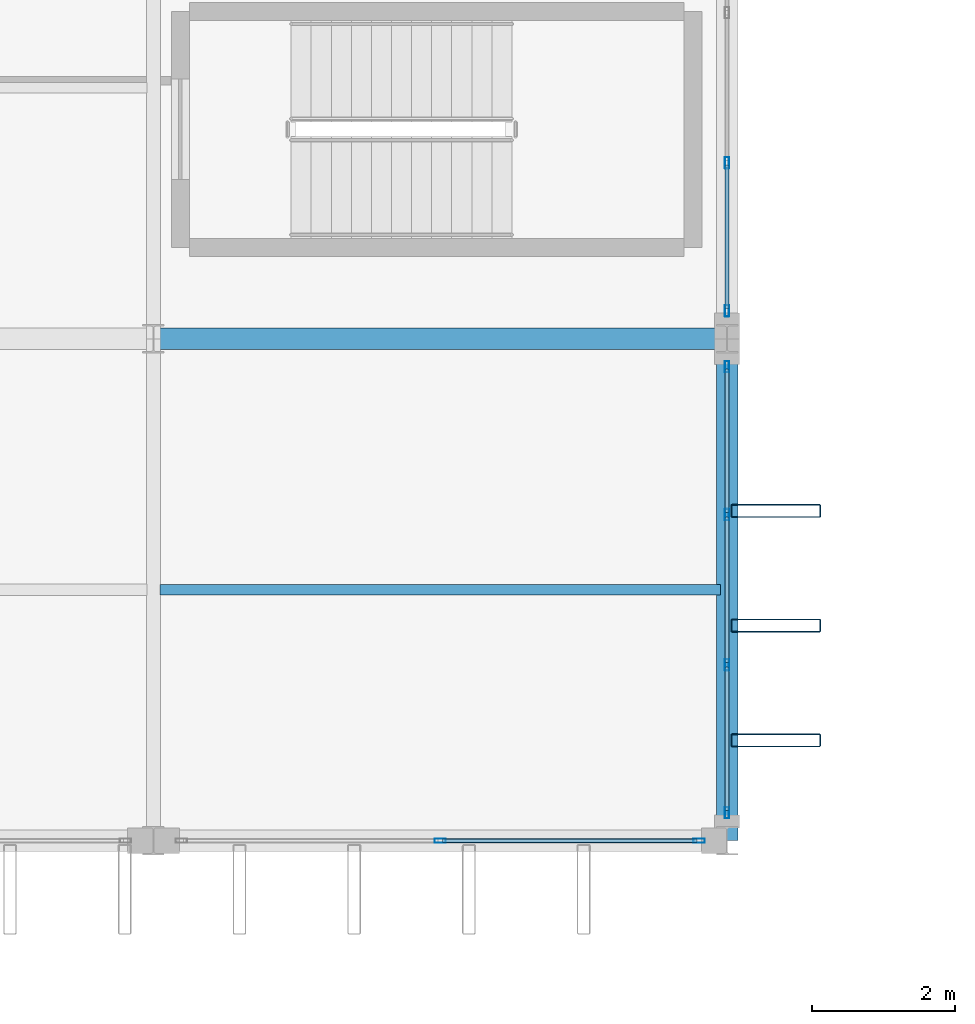
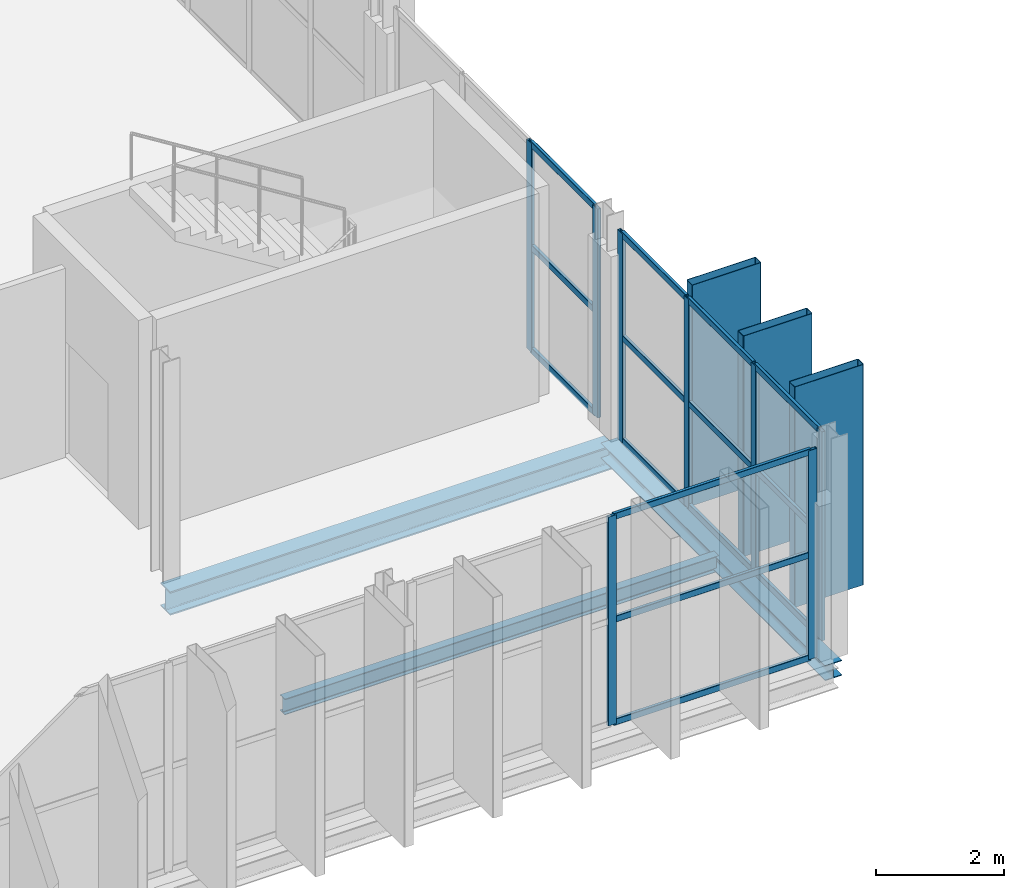
# One storey, part 34 of 101: 26 members, 3 beams, 3 elements without a shape of their own.
"""IFC4 building model written with IfcOpenShell, lengths in metres."""

from ifc_helpers import new_model, si_unit, direction, frame, origin, origin_2d, place, context, subcontext, project, spatial, hollow_rectangle, i_section, extrude, material, layer, layer_set, material_profile, profile_set, type_object, element, aggregate, save


model = new_model("IFC4")

# Units and contexts
model_context = context("Model", 3, precision=1e-05, world=origin(), true_north=direction((0.0, 1.0)))
body_context = subcontext(model_context, "Body", "Model", "MODEL_VIEW")
ifc_project = project(units=[si_unit("LENGTHUNIT", "METRE"), si_unit("AREAUNIT", "SQUARE_METRE"), si_unit("VOLUMEUNIT", "CUBIC_METRE"), si_unit("PLANEANGLEUNIT", "RADIAN"), si_unit("MASSUNIT", "GRAM", prefix="KILO")], contexts=[model_context])

# Site, building, storey
site_placement = place(None, origin())
site = spatial("IfcSite", under=ifc_project, at=site_placement, CompositionType="ELEMENT")
building_placement = place(site_placement, origin())
building = spatial("IfcBuilding", under=site, at=building_placement, Name="Vekula Escarpment Museum", CompositionType="ELEMENT")
storey_placement = place(building_placement, frame((0.0, 0.0, 18.0)))
storey = spatial("IfcBuildingStorey", under=building, at=storey_placement, Name="L04", CompositionType="ELEMENT", Elevation=18.0)

# Beams
ifc_material_1 = material(Name="Steel S355", Category="steel")
ifc_material_profile_1 = material_profile(ifc_material_1, i_section(OverallWidth=0.300048828125, OverallDepth=0.449951171875, WebThickness=0.013916015625, FlangeThickness=0.02587890625, FilletRadius=0.027099609375, at=origin_2d()), Name="HEB 450")
ifc_profile_set_1 = profile_set([ifc_material_profile_1], Name="Steel S355")
beam_type_1 = type_object("IfcBeamType", Name="BM-GIRD-HEB450", PredefinedType="BEAM", material=ifc_profile_set_1)
beam_1_placement = place(storey_placement, frame((118.0, 52.60009765625, -0.465087890625), z_axis=(1.0, 0.0, 0.0), x_axis=(0.0, 1.0, 0.0)))
element("IfcBeam", 1, at=beam_1_placement, inside=storey, type_object=beam_type_1, Name="Beam X L04 1701", PredefinedType="BEAM", context=body_context, shape_type="SweptSolid", body=[
    extrude(i_section(OverallWidth=0.300048828125, OverallDepth=0.449951171875, WebThickness=0.013916015625, FlangeThickness=0.02587890625, FilletRadius=0.027099609375, at=origin_2d()), origin(), (0.0, 0.0, 1.0), 8.0),
])
ifc_material_2 = material(Name="Steel S355", Category="steel")
ifc_material_profile_2 = material_profile(ifc_material_2, i_section(OverallWidth=0.14990234375, OverallDepth=0.300048828125, WebThickness=0.007080078125, FlangeThickness=0.0107421875, FilletRadius=0.014892578125, at=origin_2d()), Name="IPE 300")
ifc_profile_set_2 = profile_set([ifc_material_profile_2], Name="Steel S355")
beam_type_2 = type_object("IfcBeamType", Name="BM-JST-IPE300", PredefinedType="JOIST", material=ifc_profile_set_2)
beam_2_placement = place(storey_placement, frame((118.090087890625, 49.10009765625, -0.389892578125), z_axis=(1.0, 0.0, 0.0), x_axis=(0.0, 1.0, 0.0)))
element("IfcBeam", 2, at=beam_2_placement, inside=storey, type_object=beam_type_2, Name="Secondary Joist L04 1231", PredefinedType="JOIST", context=body_context, shape_type="SweptSolid", body=[
    extrude(i_section(OverallWidth=0.14990234375, OverallDepth=0.300048828125, WebThickness=0.007080078125, FlangeThickness=0.0107421875, FilletRadius=0.014892578125, at=origin_2d()), origin(), (0.0, 0.0, 1.0), 7.81982421875),
])
ifc_material_3 = material(Name="Steel S355", Category="steel")
ifc_material_profile_3 = material_profile(ifc_material_3, i_section(OverallWidth=0.300048828125, OverallDepth=0.2900390625, WebThickness=0.008544921875, FlangeThickness=0.013916015625, FilletRadius=0.027099609375, at=origin_2d()), Name="HEA 300")
ifc_profile_set_3 = profile_set([ifc_material_profile_3], Name="Steel S355")
beam_type_3 = type_object("IfcBeamType", Name="BM-SPAN-HEA300", PredefinedType="SPANDREL", material=ifc_profile_set_3)
beam_3_placement = place(storey_placement, frame((126.0, 45.60009765625, -0.385009765625), z_axis=(0.0, 1.0, 0.0), x_axis=(-1.0, 0.0, 0.0)))
element("IfcBeam", 3, at=beam_3_placement, inside=storey, type_object=beam_type_3, Name="Beam Y L04 1911", PredefinedType="SPANDREL", context=body_context, shape_type="SweptSolid", body=[
    extrude(i_section(OverallWidth=0.300048828125, OverallDepth=0.2900390625, WebThickness=0.008544921875, FlangeThickness=0.013916015625, FilletRadius=0.027099609375, at=origin_2d()), origin(), (0.0, 0.0, 1.0), 7.0),
])

# Curtain wall, members
ifc_material_4 = material(Name="Aluminium thermally broken framing", Category="aluminium")
ifc_layer_1 = layer(ifc_material_4, 0.179931640625)
ifc_layer_set_1 = layer_set([ifc_layer_1], Name="Aluminium thermally broken framing")
curtain_wall_type_1 = type_object("IfcCurtainWallType", Name="CW-SYS-08", PredefinedType="NOTDEFINED", material=ifc_layer_set_1)
curtain_wall_1_placement = place(storey_placement, origin())
curtain_wall_1 = element("IfcCurtainWall", 4, at=curtain_wall_1_placement, inside=storey, type_object=curtain_wall_type_1, Name="Curtain Wall CW-L04-138", PredefinedType="NOTDEFINED")
ifc_material_5 = material(Name="Aluminium anodized mullion", Category="aluminium")
ifc_material_profile_4 = material_profile(ifc_material_5, hollow_rectangle(XDim=0.06005859375, YDim=0.159912109375, WallThickness=0.00390625, InnerFilletRadius=0.00390625, OuterFilletRadius=0.008056640625, at=origin_2d()), Name="ALU 160x60x4")
ifc_profile_set_4 = profile_set([ifc_material_profile_4], Name="Aluminium anodized mullion")
member_type_1 = type_object("IfcMemberType", Name="CW-MUL-160", PredefinedType="MULLION", material=ifc_profile_set_4)
member_1_placement = place(storey_placement, frame((122.0, 45.60009765625, 0.0), z_axis=(0.0, 0.0, 1.0), x_axis=(0.0, 1.0, 0.0)))
member_1 = element("IfcMember", 5, at=member_1_placement, type_object=member_type_1, Name="CW-08 mullion 2", PredefinedType="MULLION", context=body_context, shape_type="SweptSolid", body=[
    extrude(hollow_rectangle(XDim=0.06005859375, YDim=0.159912109375, WallThickness=0.00390625, InnerFilletRadius=0.00390625, OuterFilletRadius=0.008056640625, at=origin_2d()), origin(), (0.0, 0.0, 1.0), 3.97998046875),
])
member_2_placement = place(storey_placement, frame((125.610107421875, 45.60009765625, 0.0), z_axis=(0.0, 0.0, 1.0), x_axis=(0.0, 1.0, 0.0)))
member_2 = element("IfcMember", 6, at=member_2_placement, type_object=member_type_1, Name="CW-08 mullion 3", PredefinedType="MULLION", context=body_context, shape_type="SweptSolid", body=[
    extrude(hollow_rectangle(XDim=0.06005859375, YDim=0.159912109375, WallThickness=0.00390625, InnerFilletRadius=0.00390625, OuterFilletRadius=0.008056640625, at=origin_2d()), origin(), (0.0, 0.0, 1.0), 3.97998046875),
])

ifc_material_6 = material(Name="Aluminium thermally broken framing", Category="aluminium")
ifc_layer_2 = layer(ifc_material_6, 0.14990234375)
ifc_layer_set_2 = layer_set([ifc_layer_2], Name="Aluminium thermally broken framing")
curtain_wall_type_2 = type_object("IfcCurtainWallType", Name="CW-SYS-09", PredefinedType="NOTDEFINED", material=ifc_layer_set_2)
curtain_wall_2_placement = place(storey_placement, origin())
curtain_wall_2 = element("IfcCurtainWall", 7, at=curtain_wall_2_placement, inside=storey, type_object=curtain_wall_type_2, Name="Curtain Wall CW-L04-139", PredefinedType="NOTDEFINED")
member_3_placement = place(storey_placement, frame((126.0, 45.989990234375, 0.0), z_axis=(0.0, 0.0, 1.0), x_axis=(-1.0, 0.0, 0.0)))
member_3 = element("IfcMember", 8, at=member_3_placement, type_object=member_type_1, Name="CW-09 mullion 1", PredefinedType="MULLION", context=body_context, shape_type="SweptSolid", body=[
    extrude(hollow_rectangle(XDim=0.06005859375, YDim=0.159912109375, WallThickness=0.00390625, InnerFilletRadius=0.00390625, OuterFilletRadius=0.008056640625, at=origin_2d()), origin(), (0.0, 0.0, 1.0), 3.97998046875),
])
member_4_placement = place(storey_placement, frame((126.0, 48.05322265625, 0.0), z_axis=(0.0, 0.0, 1.0), x_axis=(-1.0, 0.0, 0.0)))
member_4 = element("IfcMember", 9, at=member_4_placement, type_object=member_type_1, Name="CW-09 mullion 2", PredefinedType="MULLION", context=body_context, shape_type="SweptSolid", body=[
    extrude(hollow_rectangle(XDim=0.06005859375, YDim=0.159912109375, WallThickness=0.00390625, InnerFilletRadius=0.00390625, OuterFilletRadius=0.008056640625, at=origin_2d()), origin(), (0.0, 0.0, 1.0), 3.97998046875),
])
member_5_placement = place(storey_placement, frame((126.0, 50.146728515625, 0.0), z_axis=(0.0, 0.0, 1.0), x_axis=(-1.0, 0.0, 0.0)))
member_5 = element("IfcMember", 10, at=member_5_placement, type_object=member_type_1, Name="CW-09 mullion 3", PredefinedType="MULLION", context=body_context, shape_type="SweptSolid", body=[
    extrude(hollow_rectangle(XDim=0.06005859375, YDim=0.159912109375, WallThickness=0.00390625, InnerFilletRadius=0.00390625, OuterFilletRadius=0.008056640625, at=origin_2d()), origin(), (0.0, 0.0, 1.0), 3.97998046875),
])
member_6_placement = place(storey_placement, frame((126.0, 52.2099609375, 0.0), z_axis=(0.0, 0.0, 1.0), x_axis=(-1.0, 0.0, 0.0)))
member_6 = element("IfcMember", 11, at=member_6_placement, type_object=member_type_1, Name="CW-09 mullion 4", PredefinedType="MULLION", context=body_context, shape_type="SweptSolid", body=[
    extrude(hollow_rectangle(XDim=0.06005859375, YDim=0.159912109375, WallThickness=0.00390625, InnerFilletRadius=0.00390625, OuterFilletRadius=0.008056640625, at=origin_2d()), origin(), (0.0, 0.0, 1.0), 3.97998046875),
])

ifc_material_7 = material(Name="Aluminium thermally broken framing", Category="aluminium")
ifc_layer_3 = layer(ifc_material_7, 0.169921875)
ifc_layer_set_3 = layer_set([ifc_layer_3], Name="Aluminium thermally broken framing")
curtain_wall_type_3 = type_object("IfcCurtainWallType", Name="CW-SYS-10", PredefinedType="NOTDEFINED", material=ifc_layer_set_3)
curtain_wall_3_placement = place(storey_placement, origin())
curtain_wall_3 = element("IfcCurtainWall", 12, at=curtain_wall_3_placement, inside=storey, type_object=curtain_wall_type_3, Name="Curtain Wall CW-L04-140", PredefinedType="NOTDEFINED")
member_7_placement = place(storey_placement, frame((126.0, 52.989990234375, 0.0), z_axis=(0.0, 0.0, 1.0), x_axis=(-1.0, 0.0, 0.0)))
member_7 = element("IfcMember", 13, at=member_7_placement, type_object=member_type_1, Name="CW-10 mullion 1", PredefinedType="MULLION", context=body_context, shape_type="SweptSolid", body=[
    extrude(hollow_rectangle(XDim=0.06005859375, YDim=0.159912109375, WallThickness=0.00390625, InnerFilletRadius=0.00390625, OuterFilletRadius=0.008056640625, at=origin_2d()), origin(), (0.0, 0.0, 1.0), 3.97998046875),
])
member_8_placement = place(storey_placement, frame((126.0, 55.05322265625, 0.0), z_axis=(0.0, 0.0, 1.0), x_axis=(-1.0, 0.0, 0.0)))
member_8 = element("IfcMember", 14, at=member_8_placement, type_object=member_type_1, Name="CW-10 mullion 2", PredefinedType="MULLION", context=body_context, shape_type="SweptSolid", body=[
    extrude(hollow_rectangle(XDim=0.06005859375, YDim=0.159912109375, WallThickness=0.00390625, InnerFilletRadius=0.00390625, OuterFilletRadius=0.008056640625, at=origin_2d()), origin(), (0.0, 0.0, 1.0), 3.97998046875),
])

# Member
ifc_material_8 = material(Name="Aluminium anodized transom", Category="aluminium")
ifc_material_profile_5 = material_profile(ifc_material_8, hollow_rectangle(XDim=0.06005859375, YDim=0.1201171875, WallThickness=0.00390625, InnerFilletRadius=0.00390625, OuterFilletRadius=0.008056640625, at=origin_2d()), Name="ALU 120x60x4")
ifc_profile_set_5 = profile_set([ifc_material_profile_5], Name="Aluminium anodized transom")
member_type_2 = type_object("IfcMemberType", Name="CW-TRN-120", PredefinedType="USERDEFINED", material=ifc_profile_set_5)
member_9_placement = place(storey_placement, frame((122.030029296875, 45.60009765625, 0.030029296875), z_axis=(1.0, 0.0, 0.0), x_axis=(0.0, 1.0, 0.0)))
member_9 = element("IfcMember", 15, at=member_9_placement, type_object=member_type_2, Name="CW-08 transom 2.1", ObjectType="TRANSOM", PredefinedType="USERDEFINED", context=body_context, shape_type="SweptSolid", body=[
    extrude(hollow_rectangle(XDim=0.06005859375, YDim=0.1201171875, WallThickness=0.00390625, InnerFilletRadius=0.00390625, OuterFilletRadius=0.008056640625, at=origin_2d()), origin(), (0.0, 0.0, 1.0), 3.550048828125),
])

member_10_placement = place(storey_placement, frame((122.030029296875, 45.60009765625, 1.989990234375), z_axis=(1.0, 0.0, 0.0), x_axis=(0.0, 1.0, 0.0)))
member_10 = element("IfcMember", 16, at=member_10_placement, type_object=member_type_2, Name="CW-08 transom 2.2", ObjectType="TRANSOM", PredefinedType="USERDEFINED", context=body_context, shape_type="SweptSolid", body=[
    extrude(hollow_rectangle(XDim=0.06005859375, YDim=0.1201171875, WallThickness=0.00390625, InnerFilletRadius=0.00390625, OuterFilletRadius=0.008056640625, at=origin_2d()), origin(), (0.0, 0.0, 1.0), 3.550048828125),
])

member_11_placement = place(storey_placement, frame((122.030029296875, 45.60009765625, 3.949951171875), z_axis=(1.0, 0.0, 0.0), x_axis=(0.0, 1.0, 0.0)))
member_11 = element("IfcMember", 17, at=member_11_placement, type_object=member_type_2, Name="CW-08 transom 2.3", ObjectType="TRANSOM", PredefinedType="USERDEFINED", context=body_context, shape_type="SweptSolid", body=[
    extrude(hollow_rectangle(XDim=0.06005859375, YDim=0.1201171875, WallThickness=0.00390625, InnerFilletRadius=0.00390625, OuterFilletRadius=0.008056640625, at=origin_2d()), origin(), (0.0, 0.0, 1.0), 3.550048828125),
])

aggregate(curtain_wall_1, [member_1, member_2, member_9, member_10, member_11])

member_12_placement = place(storey_placement, frame((126.0, 46.02001953125, 0.030029296875), z_axis=(0.0, 1.0, 0.0), x_axis=(-1.0, 0.0, 0.0)))
member_12 = element("IfcMember", 18, at=member_12_placement, type_object=member_type_2, Name="CW-09 transom 1.1", ObjectType="TRANSOM", PredefinedType="USERDEFINED", context=body_context, shape_type="SweptSolid", body=[
    extrude(hollow_rectangle(XDim=0.06005859375, YDim=0.1201171875, WallThickness=0.00390625, InnerFilletRadius=0.00390625, OuterFilletRadius=0.008056640625, at=origin_2d()), origin(), (0.0, 0.0, 1.0), 2.00341796875),
])

member_13_placement = place(storey_placement, frame((126.0, 46.02001953125, 1.989990234375), z_axis=(0.0, 1.0, 0.0), x_axis=(-1.0, 0.0, 0.0)))
member_13 = element("IfcMember", 19, at=member_13_placement, type_object=member_type_2, Name="CW-09 transom 1.2", ObjectType="TRANSOM", PredefinedType="USERDEFINED", context=body_context, shape_type="SweptSolid", body=[
    extrude(hollow_rectangle(XDim=0.06005859375, YDim=0.1201171875, WallThickness=0.00390625, InnerFilletRadius=0.00390625, OuterFilletRadius=0.008056640625, at=origin_2d()), origin(), (0.0, 0.0, 1.0), 2.00341796875),
])

member_14_placement = place(storey_placement, frame((126.0, 46.02001953125, 3.949951171875), z_axis=(0.0, 1.0, 0.0), x_axis=(-1.0, 0.0, 0.0)))
member_14 = element("IfcMember", 20, at=member_14_placement, type_object=member_type_2, Name="CW-09 transom 1.3", ObjectType="TRANSOM", PredefinedType="USERDEFINED", context=body_context, shape_type="SweptSolid", body=[
    extrude(hollow_rectangle(XDim=0.06005859375, YDim=0.1201171875, WallThickness=0.00390625, InnerFilletRadius=0.00390625, OuterFilletRadius=0.008056640625, at=origin_2d()), origin(), (0.0, 0.0, 1.0), 2.00341796875),
])

member_15_placement = place(storey_placement, frame((126.0, 48.083251953125, 0.030029296875), z_axis=(0.0, 1.0, 0.0), x_axis=(-1.0, 0.0, 0.0)))
member_15 = element("IfcMember", 21, at=member_15_placement, type_object=member_type_2, Name="CW-09 transom 2.1", ObjectType="TRANSOM", PredefinedType="USERDEFINED", context=body_context, shape_type="SweptSolid", body=[
    extrude(hollow_rectangle(XDim=0.06005859375, YDim=0.1201171875, WallThickness=0.00390625, InnerFilletRadius=0.00390625, OuterFilletRadius=0.008056640625, at=origin_2d()), origin(), (0.0, 0.0, 1.0), 2.033447265625),
])

member_16_placement = place(storey_placement, frame((126.0, 48.083251953125, 1.989990234375), z_axis=(0.0, 1.0, 0.0), x_axis=(-1.0, 0.0, 0.0)))
member_16 = element("IfcMember", 22, at=member_16_placement, type_object=member_type_2, Name="CW-09 transom 2.2", ObjectType="TRANSOM", PredefinedType="USERDEFINED", context=body_context, shape_type="SweptSolid", body=[
    extrude(hollow_rectangle(XDim=0.06005859375, YDim=0.1201171875, WallThickness=0.00390625, InnerFilletRadius=0.00390625, OuterFilletRadius=0.008056640625, at=origin_2d()), origin(), (0.0, 0.0, 1.0), 2.033447265625),
])

member_17_placement = place(storey_placement, frame((126.0, 48.083251953125, 3.949951171875), z_axis=(0.0, 1.0, 0.0), x_axis=(-1.0, 0.0, 0.0)))
member_17 = element("IfcMember", 23, at=member_17_placement, type_object=member_type_2, Name="CW-09 transom 2.3", ObjectType="TRANSOM", PredefinedType="USERDEFINED", context=body_context, shape_type="SweptSolid", body=[
    extrude(hollow_rectangle(XDim=0.06005859375, YDim=0.1201171875, WallThickness=0.00390625, InnerFilletRadius=0.00390625, OuterFilletRadius=0.008056640625, at=origin_2d()), origin(), (0.0, 0.0, 1.0), 2.033447265625),
])

member_18_placement = place(storey_placement, frame((126.0, 50.1767578125, 0.030029296875), z_axis=(0.0, 1.0, 0.0), x_axis=(-1.0, 0.0, 0.0)))
member_18 = element("IfcMember", 24, at=member_18_placement, type_object=member_type_2, Name="CW-09 transom 3.1", ObjectType="TRANSOM", PredefinedType="USERDEFINED", context=body_context, shape_type="SweptSolid", body=[
    extrude(hollow_rectangle(XDim=0.06005859375, YDim=0.1201171875, WallThickness=0.00390625, InnerFilletRadius=0.00390625, OuterFilletRadius=0.008056640625, at=origin_2d()), origin(), (0.0, 0.0, 1.0), 2.003173828125),
])

member_19_placement = place(storey_placement, frame((126.0, 50.1767578125, 1.989990234375), z_axis=(0.0, 1.0, 0.0), x_axis=(-1.0, 0.0, 0.0)))
member_19 = element("IfcMember", 25, at=member_19_placement, type_object=member_type_2, Name="CW-09 transom 3.2", ObjectType="TRANSOM", PredefinedType="USERDEFINED", context=body_context, shape_type="SweptSolid", body=[
    extrude(hollow_rectangle(XDim=0.06005859375, YDim=0.1201171875, WallThickness=0.00390625, InnerFilletRadius=0.00390625, OuterFilletRadius=0.008056640625, at=origin_2d()), origin(), (0.0, 0.0, 1.0), 2.003173828125),
])

member_20_placement = place(storey_placement, frame((126.0, 50.1767578125, 3.949951171875), z_axis=(0.0, 1.0, 0.0), x_axis=(-1.0, 0.0, 0.0)))
member_20 = element("IfcMember", 26, at=member_20_placement, type_object=member_type_2, Name="CW-09 transom 3.3", ObjectType="TRANSOM", PredefinedType="USERDEFINED", context=body_context, shape_type="SweptSolid", body=[
    extrude(hollow_rectangle(XDim=0.06005859375, YDim=0.1201171875, WallThickness=0.00390625, InnerFilletRadius=0.00390625, OuterFilletRadius=0.008056640625, at=origin_2d()), origin(), (0.0, 0.0, 1.0), 2.003173828125),
])

aggregate(curtain_wall_2, [member_3, member_4, member_5, member_6, member_12, member_13, member_14, member_15, member_16, member_17, member_18, member_19, member_20])

member_21_placement = place(storey_placement, frame((126.0, 53.02001953125, 0.030029296875), z_axis=(0.0, 1.0, 0.0), x_axis=(-1.0, 0.0, 0.0)))
member_21 = element("IfcMember", 27, at=member_21_placement, type_object=member_type_2, Name="CW-10 transom 1.1", ObjectType="TRANSOM", PredefinedType="USERDEFINED", context=body_context, shape_type="SweptSolid", body=[
    extrude(hollow_rectangle(XDim=0.06005859375, YDim=0.1201171875, WallThickness=0.00390625, InnerFilletRadius=0.00390625, OuterFilletRadius=0.008056640625, at=origin_2d()), origin(), (0.0, 0.0, 1.0), 2.00341796875),
])

member_22_placement = place(storey_placement, frame((126.0, 53.02001953125, 1.989990234375), z_axis=(0.0, 1.0, 0.0), x_axis=(-1.0, 0.0, 0.0)))
member_22 = element("IfcMember", 28, at=member_22_placement, type_object=member_type_2, Name="CW-10 transom 1.2", ObjectType="TRANSOM", PredefinedType="USERDEFINED", context=body_context, shape_type="SweptSolid", body=[
    extrude(hollow_rectangle(XDim=0.06005859375, YDim=0.1201171875, WallThickness=0.00390625, InnerFilletRadius=0.00390625, OuterFilletRadius=0.008056640625, at=origin_2d()), origin(), (0.0, 0.0, 1.0), 2.00341796875),
])

member_23_placement = place(storey_placement, frame((126.0, 53.02001953125, 3.949951171875), z_axis=(0.0, 1.0, 0.0), x_axis=(-1.0, 0.0, 0.0)))
member_23 = element("IfcMember", 29, at=member_23_placement, type_object=member_type_2, Name="CW-10 transom 1.3", ObjectType="TRANSOM", PredefinedType="USERDEFINED", context=body_context, shape_type="SweptSolid", body=[
    extrude(hollow_rectangle(XDim=0.06005859375, YDim=0.1201171875, WallThickness=0.00390625, InnerFilletRadius=0.00390625, OuterFilletRadius=0.008056640625, at=origin_2d()), origin(), (0.0, 0.0, 1.0), 2.00341796875),
])

aggregate(curtain_wall_3, [member_7, member_8, member_21, member_22, member_23])

# Members
ifc_material_9 = material(Name="Steel S355 weathered bronze solar fin", Category="steel")
ifc_material_profile_6 = material_profile(ifc_material_9, hollow_rectangle(XDim=0.179931640625, YDim=1.25, WallThickness=0.010009765625, InnerFilletRadius=0.010009765625, OuterFilletRadius=0.02001953125, at=origin_2d()), Name="RHS 1250x180x10")
ifc_profile_set_6 = profile_set([ifc_material_profile_6], Name="Steel S355 weathered bronze solar fin")
member_type_3 = type_object("IfcMemberType", Name="MB-SOLAR-FIN", PredefinedType="USERDEFINED", material=ifc_profile_set_6)
for number, where, z_axis, x_axis, name in (
    (30, (126.679931640625, 47.0, 0.0), (0.0, 0.0, 1.0), (0.0, 1.0, 0.0), "Great Hall Vertical Solar Fin 0354"),
    (31, (126.679931640625, 48.60009765625, 0.0), (0.0, 0.0, 1.0), (0.0, 1.0, 0.0), "Great Hall Vertical Solar Fin 0359"),
    (32, (126.679931640625, 50.199951171875, 0.0), (0.0, 0.0, 1.0), (0.0, 1.0, 0.0), "Great Hall Vertical Solar Fin 0364"),
):
    element("IfcMember", number, at=place(storey_placement, frame(where, z_axis=z_axis, x_axis=x_axis)), inside=storey, type_object=member_type_3, Name=name, ObjectType="SOLAR FIN", PredefinedType="USERDEFINED", context=body_context, shape_type="SweptSolid", body=[
        extrude(hollow_rectangle(XDim=0.179931640625, YDim=1.25, WallThickness=0.010009765625, InnerFilletRadius=0.010009765625, OuterFilletRadius=0.02001953125, at=origin_2d()), origin(), (0.0, 0.0, 1.0), 4.199951171875),
    ])

save(model, "model.ifc")
